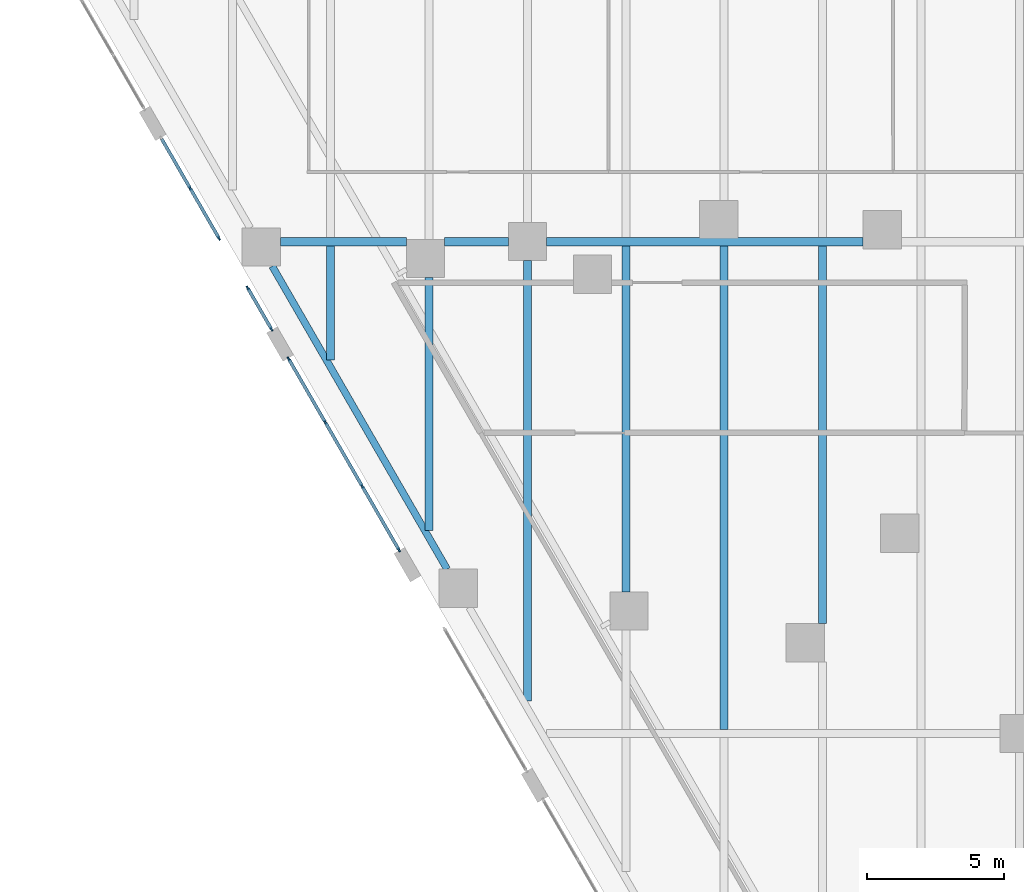
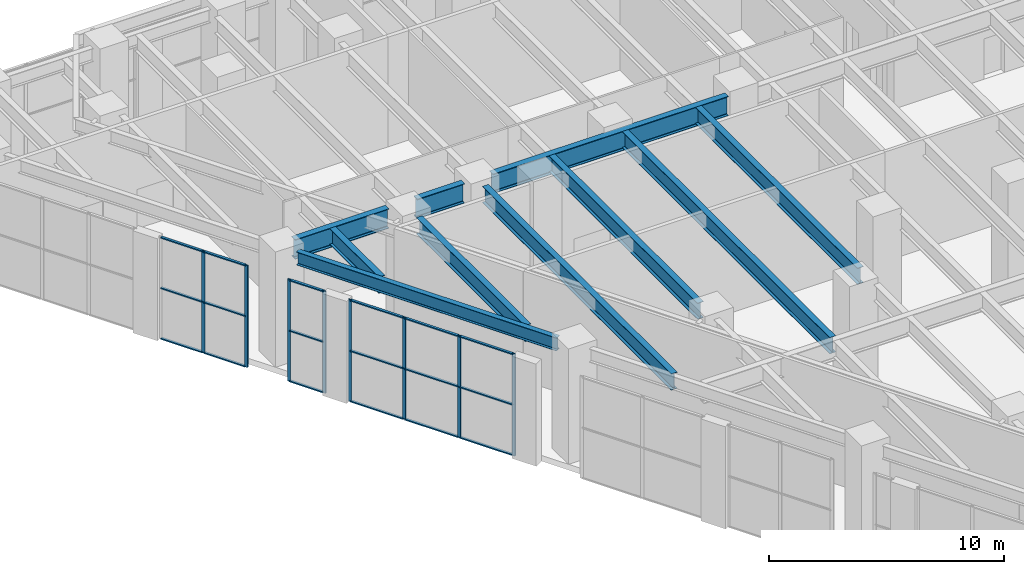
# One storey, part 14 of 37: 26 members, 10 beams, 3 elements without a shape of their own.
"""IFC4 building model written with IfcOpenShell, lengths in metres."""

from ifc_helpers import new_model, si_unit, direction, frame, origin, origin_2d, place, context, subcontext, project, spatial, rectangle, i_section, extrude, material, material_profile, profile_set, type_object, element, aggregate, save


model = new_model("IFC4")

# Units and contexts
model_context = context("Model", 3, precision=1e-05, world=origin(), true_north=direction((0.0, 1.0)))
body_context = subcontext(model_context, "Body", "Model", "MODEL_VIEW")
ifc_project = project(units=[si_unit("LENGTHUNIT", "METRE"), si_unit("AREAUNIT", "SQUARE_METRE"), si_unit("VOLUMEUNIT", "CUBIC_METRE"), si_unit("PLANEANGLEUNIT", "RADIAN"), si_unit("MASSUNIT", "GRAM", prefix="KILO")], contexts=[model_context])

# Site, building, storey
site_placement = place(None, origin())
site = spatial("IfcSite", under=ifc_project, at=site_placement, CompositionType="ELEMENT")
building_placement = place(site_placement, origin())
building = spatial("IfcBuilding", under=site, at=building_placement, Name="Aloe Facet Convention Tower", CompositionType="ELEMENT")
storey_placement = place(building_placement, frame((0.0, 0.0, 7.5)))
storey = spatial("IfcBuildingStorey", under=building, at=storey_placement, Name="L01", CompositionType="ELEMENT", Elevation=7.5)

# Curtain wall, members
ifc_material_1 = material(Name="Aluminium, anodised", Category="aluminium")
curtain_wall_type = type_object("IfcCurtainWallType", Name="EV-CW-SHOP", PredefinedType="USERDEFINED", material=ifc_material_1)
curtain_wall_1_placement = place(storey_placement, origin())
curtain_wall_1 = element("IfcCurtainWall", 1, at=curtain_wall_1_placement, inside=storey, type_object=curtain_wall_type, Name="CW-L01-W04-1", ObjectType="STICK SHOPFRONT GLAZING", PredefinedType="USERDEFINED")
ifc_material_2 = material(Name="Aluminium, anodised", Category="aluminium")
ifc_material_profile_1 = material_profile(ifc_material_2, rectangle(XDim=0.06005859375, YDim=0.159912109375, at=origin_2d()), Name="AL 60x160")
ifc_profile_set_1 = profile_set([ifc_material_profile_1], Name="Aluminium, anodised")
member_type_1 = type_object("IfcMemberType", Name="EV-MULL-SHOP", PredefinedType="MULLION", material=ifc_profile_set_1)
member_1_placement = place(storey_placement, frame((31.657958984375, 118.95166015625, -0.300048828125), z_axis=(0.0, 0.0, 1.0), x_axis=(0.866025403767, 0.50000000003, 0.0)))
member_1 = element("IfcMember", 2, at=member_1_placement, type_object=member_type_1, Name="CW-L01-W04-1 mullion 2", PredefinedType="MULLION", context=body_context, shape_type="SweptSolid", body=[
    extrude(rectangle(XDim=0.06005859375, YDim=0.159912109375, at=origin_2d()), origin(), (0.0, 0.0, 1.0), 5.3125),
])
member_2_placement = place(storey_placement, frame((32.712646484375, 117.12451171875, -0.300048828125), z_axis=(0.0, 0.0, 1.0), x_axis=(0.866025403767, 0.50000000003, 0.0)))
member_2 = element("IfcMember", 3, at=member_2_placement, type_object=member_type_1, Name="CW-L01-W04-1 mullion 3", PredefinedType="MULLION", context=body_context, shape_type="SweptSolid", body=[
    extrude(rectangle(XDim=0.06005859375, YDim=0.159912109375, at=origin_2d()), origin(), (0.0, 0.0, 1.0), 5.3125),
])

curtain_wall_2_placement = place(storey_placement, origin())
curtain_wall_2 = element("IfcCurtainWall", 4, at=curtain_wall_2_placement, inside=storey, type_object=curtain_wall_type, Name="CW-L01-W04-2", ObjectType="STICK SHOPFRONT GLAZING", PredefinedType="USERDEFINED")
member_3_placement = place(storey_placement, frame((33.767333984375, 115.298095703125, -0.300048828125), z_axis=(0.0, 0.0, 1.0), x_axis=(0.866025403811, 0.499999999955, 0.0)))
member_3 = element("IfcMember", 5, at=member_3_placement, type_object=member_type_1, Name="CW-L01-W04-2 mullion 1", PredefinedType="MULLION", context=body_context, shape_type="SweptSolid", body=[
    extrude(rectangle(XDim=0.06005859375, YDim=0.159912109375, at=origin_2d()), origin(), (0.0, 0.0, 1.0), 5.3125),
])
member_4_placement = place(storey_placement, frame((34.6337890625, 113.79736328125, -0.300048828125), z_axis=(0.0, 0.0, 1.0), x_axis=(0.866025403811, 0.499999999955, 0.0)))
member_4 = element("IfcMember", 6, at=member_4_placement, type_object=member_type_1, Name="CW-L01-W04-2 mullion 2", PredefinedType="MULLION", context=body_context, shape_type="SweptSolid", body=[
    extrude(rectangle(XDim=0.06005859375, YDim=0.159912109375, at=origin_2d()), origin(), (0.0, 0.0, 1.0), 5.3125),
])

curtain_wall_3_placement = place(storey_placement, origin())
curtain_wall_3 = element("IfcCurtainWall", 7, at=curtain_wall_3_placement, inside=storey, type_object=curtain_wall_type, Name="CW-L01-W06", ObjectType="STICK SHOPFRONT GLAZING", PredefinedType="USERDEFINED")
member_5_placement = place(storey_placement, frame((35.263671875, 112.7060546875, -0.300048828125), z_axis=(0.0, 0.0, 1.0), x_axis=(0.866025403776, 0.500000000015, 0.0)))
member_5 = element("IfcMember", 8, at=member_5_placement, type_object=member_type_1, Name="CW-L01-W06 mullion 1", PredefinedType="MULLION", context=body_context, shape_type="SweptSolid", body=[
    extrude(rectangle(XDim=0.06005859375, YDim=0.159912109375, at=origin_2d()), origin(), (0.0, 0.0, 1.0), 5.3125),
])
member_6_placement = place(storey_placement, frame((36.602294921875, 110.3876953125, -0.300048828125), z_axis=(0.0, 0.0, 1.0), x_axis=(0.866025403776, 0.500000000015, 0.0)))
member_6 = element("IfcMember", 9, at=member_6_placement, type_object=member_type_1, Name="CW-L01-W06 mullion 2", PredefinedType="MULLION", context=body_context, shape_type="SweptSolid", body=[
    extrude(rectangle(XDim=0.06005859375, YDim=0.159912109375, at=origin_2d()), origin(), (0.0, 0.0, 1.0), 5.3125),
])
member_7_placement = place(storey_placement, frame((37.955810546875, 108.043212890625, -0.300048828125), z_axis=(0.0, 0.0, 1.0), x_axis=(0.866025403776, 0.500000000015, 0.0)))
member_7 = element("IfcMember", 10, at=member_7_placement, type_object=member_type_1, Name="CW-L01-W06 mullion 3", PredefinedType="MULLION", context=body_context, shape_type="SweptSolid", body=[
    extrude(rectangle(XDim=0.06005859375, YDim=0.159912109375, at=origin_2d()), origin(), (0.0, 0.0, 1.0), 5.3125),
])
member_8_placement = place(storey_placement, frame((39.29443359375, 105.724609375, -0.300048828125), z_axis=(0.0, 0.0, 1.0), x_axis=(0.866025403776, 0.500000000015, 0.0)))
member_8 = element("IfcMember", 11, at=member_8_placement, type_object=member_type_1, Name="CW-L01-W06 mullion 4", PredefinedType="MULLION", context=body_context, shape_type="SweptSolid", body=[
    extrude(rectangle(XDim=0.06005859375, YDim=0.159912109375, at=origin_2d()), origin(), (0.0, 0.0, 1.0), 5.3125),
])

# Member
ifc_material_3 = material(Name="Aluminium, anodised", Category="aluminium")
ifc_material_profile_2 = material_profile(ifc_material_3, rectangle(XDim=0.1201171875, YDim=0.06005859375, at=origin_2d()), Name="AL 120x60")
ifc_profile_set_2 = profile_set([ifc_material_profile_2], Name="Aluminium, anodised")
member_type_2 = type_object("IfcMemberType", Name="EV-TRAN-SHOP", PredefinedType="USERDEFINED", material=ifc_profile_set_2)
member_9_placement = place(storey_placement, frame((30.617919921875, 120.752685546875, -0.27001953125), z_axis=(0.500007699544, -0.866020958405, 0.0), x_axis=(0.866020958405, 0.500007699544, 0.0)))
member_9 = element("IfcMember", 12, at=member_9_placement, type_object=member_type_2, Name="CW-L01-W04-1 transom 1.1", ObjectType="TRANSOM", PredefinedType="USERDEFINED", context=body_context, shape_type="SweptSolid", body=[
    extrude(rectangle(XDim=0.1201171875, YDim=0.06005859375, at=origin_2d()), origin(), (0.0, 0.0, 1.0), 2.0498046875),
])

member_10_placement = place(storey_placement, frame((30.617919921875, 120.752685546875, 2.356201171875), z_axis=(0.500007699544, -0.866020958405, 0.0), x_axis=(0.866020958405, 0.500007699544, 0.0)))
member_10 = element("IfcMember", 13, at=member_10_placement, type_object=member_type_2, Name="CW-L01-W04-1 transom 1.2", ObjectType="TRANSOM", PredefinedType="USERDEFINED", context=body_context, shape_type="SweptSolid", body=[
    extrude(rectangle(XDim=0.1201171875, YDim=0.06005859375, at=origin_2d()), origin(), (0.0, 0.0, 1.0), 2.0498046875),
])

member_11_placement = place(storey_placement, frame((30.617919921875, 120.752685546875, 4.982421875), z_axis=(0.500007699544, -0.866020958405, 0.0), x_axis=(0.866020958405, 0.500007699544, 0.0)))
member_11 = element("IfcMember", 14, at=member_11_placement, type_object=member_type_2, Name="CW-L01-W04-1 transom 1.3", ObjectType="TRANSOM", PredefinedType="USERDEFINED", context=body_context, shape_type="SweptSolid", body=[
    extrude(rectangle(XDim=0.1201171875, YDim=0.06005859375, at=origin_2d()), origin(), (0.0, 0.0, 1.0), 2.0498046875),
])

member_12_placement = place(storey_placement, frame((31.6728515625, 118.925537109375, -0.27001953125), z_axis=(0.500007699544, -0.866020958405, 0.0), x_axis=(0.866020958405, 0.500007699544, 0.0)))
member_12 = element("IfcMember", 15, at=member_12_placement, type_object=member_type_2, Name="CW-L01-W04-1 transom 2.1", ObjectType="TRANSOM", PredefinedType="USERDEFINED", context=body_context, shape_type="SweptSolid", body=[
    extrude(rectangle(XDim=0.1201171875, YDim=0.06005859375, at=origin_2d()), origin(), (0.0, 0.0, 1.0), 2.0498046875),
])

member_13_placement = place(storey_placement, frame((31.6728515625, 118.925537109375, 2.356201171875), z_axis=(0.500007699544, -0.866020958405, 0.0), x_axis=(0.866020958405, 0.500007699544, 0.0)))
member_13 = element("IfcMember", 16, at=member_13_placement, type_object=member_type_2, Name="CW-L01-W04-1 transom 2.2", ObjectType="TRANSOM", PredefinedType="USERDEFINED", context=body_context, shape_type="SweptSolid", body=[
    extrude(rectangle(XDim=0.1201171875, YDim=0.06005859375, at=origin_2d()), origin(), (0.0, 0.0, 1.0), 2.0498046875),
])

member_14_placement = place(storey_placement, frame((31.6728515625, 118.925537109375, 4.982421875), z_axis=(0.500007699544, -0.866020958405, 0.0), x_axis=(0.866020958405, 0.500007699544, 0.0)))
member_14 = element("IfcMember", 17, at=member_14_placement, type_object=member_type_2, Name="CW-L01-W04-1 transom 2.3", ObjectType="TRANSOM", PredefinedType="USERDEFINED", context=body_context, shape_type="SweptSolid", body=[
    extrude(rectangle(XDim=0.1201171875, YDim=0.06005859375, at=origin_2d()), origin(), (0.0, 0.0, 1.0), 2.0498046875),
])

aggregate(curtain_wall_1, [member_1, member_2, member_9, member_10, member_11, member_12, member_13, member_14])

member_15_placement = place(storey_placement, frame((33.7822265625, 115.27197265625, -0.27001953125), z_axis=(0.500000383388, -0.866025182435, 0.0), x_axis=(0.866025182435, 0.500000383388, 0.0)))
member_15 = element("IfcMember", 18, at=member_15_placement, type_object=member_type_2, Name="CW-L01-W04-2 transom 1.1", ObjectType="TRANSOM", PredefinedType="USERDEFINED", context=body_context, shape_type="SweptSolid", body=[
    extrude(rectangle(XDim=0.1201171875, YDim=0.06005859375, at=origin_2d()), origin(), (0.0, 0.0, 1.0), 1.6728515625),
])

member_16_placement = place(storey_placement, frame((33.7822265625, 115.27197265625, 2.356201171875), z_axis=(0.500000383388, -0.866025182435, 0.0), x_axis=(0.866025182435, 0.500000383388, 0.0)))
member_16 = element("IfcMember", 19, at=member_16_placement, type_object=member_type_2, Name="CW-L01-W04-2 transom 1.2", ObjectType="TRANSOM", PredefinedType="USERDEFINED", context=body_context, shape_type="SweptSolid", body=[
    extrude(rectangle(XDim=0.1201171875, YDim=0.06005859375, at=origin_2d()), origin(), (0.0, 0.0, 1.0), 1.6728515625),
])

member_17_placement = place(storey_placement, frame((33.7822265625, 115.27197265625, 4.982421875), z_axis=(0.500000383388, -0.866025182435, 0.0), x_axis=(0.866025182435, 0.500000383388, 0.0)))
member_17 = element("IfcMember", 20, at=member_17_placement, type_object=member_type_2, Name="CW-L01-W04-2 transom 1.3", ObjectType="TRANSOM", PredefinedType="USERDEFINED", context=body_context, shape_type="SweptSolid", body=[
    extrude(rectangle(XDim=0.1201171875, YDim=0.06005859375, at=origin_2d()), origin(), (0.0, 0.0, 1.0), 1.6728515625),
])

aggregate(curtain_wall_2, [member_3, member_4, member_15, member_16, member_17])

member_18_placement = place(storey_placement, frame((35.27880859375, 112.68017578125, -0.27001953125), z_axis=(0.49992164446, -0.86607063765, 0.0), x_axis=(0.86607063765, 0.49992164446, 0.0)))
member_18 = element("IfcMember", 21, at=member_18_placement, type_object=member_type_2, Name="CW-L01-W06 transom 1.1", ObjectType="TRANSOM", PredefinedType="USERDEFINED", context=body_context, shape_type="SweptSolid", body=[
    extrude(rectangle(XDim=0.1201171875, YDim=0.06005859375, at=origin_2d()), origin(), (0.0, 0.0, 1.0), 2.6171875),
])

member_19_placement = place(storey_placement, frame((35.27880859375, 112.68017578125, 2.356201171875), z_axis=(0.49992164446, -0.86607063765, 0.0), x_axis=(0.86607063765, 0.49992164446, 0.0)))
member_19 = element("IfcMember", 22, at=member_19_placement, type_object=member_type_2, Name="CW-L01-W06 transom 1.2", ObjectType="TRANSOM", PredefinedType="USERDEFINED", context=body_context, shape_type="SweptSolid", body=[
    extrude(rectangle(XDim=0.1201171875, YDim=0.06005859375, at=origin_2d()), origin(), (0.0, 0.0, 1.0), 2.6171875),
])

member_20_placement = place(storey_placement, frame((35.27880859375, 112.68017578125, 4.982421875), z_axis=(0.49992164446, -0.86607063765, 0.0), x_axis=(0.86607063765, 0.49992164446, 0.0)))
member_20 = element("IfcMember", 23, at=member_20_placement, type_object=member_type_2, Name="CW-L01-W06 transom 1.3", ObjectType="TRANSOM", PredefinedType="USERDEFINED", context=body_context, shape_type="SweptSolid", body=[
    extrude(rectangle(XDim=0.1201171875, YDim=0.06005859375, at=origin_2d()), origin(), (0.0, 0.0, 1.0), 2.6171875),
])

member_21_placement = place(storey_placement, frame((36.6171875, 110.361572265625, -0.27001953125), z_axis=(0.500047101561, -0.865998207978, 0.0), x_axis=(0.865998207978, 0.500047101561, 0.0)))
member_21 = element("IfcMember", 24, at=member_21_placement, type_object=member_type_2, Name="CW-L01-W06 transom 2.1", ObjectType="TRANSOM", PredefinedType="USERDEFINED", context=body_context, shape_type="SweptSolid", body=[
    extrude(rectangle(XDim=0.1201171875, YDim=0.06005859375, at=origin_2d()), origin(), (0.0, 0.0, 1.0), 2.647216796875),
])

member_22_placement = place(storey_placement, frame((36.6171875, 110.361572265625, 2.356201171875), z_axis=(0.500047101561, -0.865998207978, 0.0), x_axis=(0.865998207978, 0.500047101561, 0.0)))
member_22 = element("IfcMember", 25, at=member_22_placement, type_object=member_type_2, Name="CW-L01-W06 transom 2.2", ObjectType="TRANSOM", PredefinedType="USERDEFINED", context=body_context, shape_type="SweptSolid", body=[
    extrude(rectangle(XDim=0.1201171875, YDim=0.06005859375, at=origin_2d()), origin(), (0.0, 0.0, 1.0), 2.647216796875),
])

member_23_placement = place(storey_placement, frame((36.6171875, 110.361572265625, 4.982421875), z_axis=(0.500047101561, -0.865998207978, 0.0), x_axis=(0.865998207978, 0.500047101561, 0.0)))
member_23 = element("IfcMember", 26, at=member_23_placement, type_object=member_type_2, Name="CW-L01-W06 transom 2.3", ObjectType="TRANSOM", PredefinedType="USERDEFINED", context=body_context, shape_type="SweptSolid", body=[
    extrude(rectangle(XDim=0.1201171875, YDim=0.06005859375, at=origin_2d()), origin(), (0.0, 0.0, 1.0), 2.647216796875),
])

member_24_placement = place(storey_placement, frame((37.970947265625, 108.01708984375, -0.27001953125), z_axis=(0.499962037141, -0.866047320542, 0.0), x_axis=(0.866047320542, 0.499962037141, 0.0)))
member_24 = element("IfcMember", 27, at=member_24_placement, type_object=member_type_2, Name="CW-L01-W06 transom 3.1", ObjectType="TRANSOM", PredefinedType="USERDEFINED", context=body_context, shape_type="SweptSolid", body=[
    extrude(rectangle(XDim=0.1201171875, YDim=0.06005859375, at=origin_2d()), origin(), (0.0, 0.0, 1.0), 2.616943359375),
])

member_25_placement = place(storey_placement, frame((37.970947265625, 108.01708984375, 2.356201171875), z_axis=(0.499962037141, -0.866047320542, 0.0), x_axis=(0.866047320542, 0.499962037141, 0.0)))
member_25 = element("IfcMember", 28, at=member_25_placement, type_object=member_type_2, Name="CW-L01-W06 transom 3.2", ObjectType="TRANSOM", PredefinedType="USERDEFINED", context=body_context, shape_type="SweptSolid", body=[
    extrude(rectangle(XDim=0.1201171875, YDim=0.06005859375, at=origin_2d()), origin(), (0.0, 0.0, 1.0), 2.616943359375),
])

member_26_placement = place(storey_placement, frame((37.970947265625, 108.01708984375, 4.982421875), z_axis=(0.499962037141, -0.866047320542, 0.0), x_axis=(0.866047320542, 0.499962037141, 0.0)))
member_26 = element("IfcMember", 29, at=member_26_placement, type_object=member_type_2, Name="CW-L01-W06 transom 3.3", ObjectType="TRANSOM", PredefinedType="USERDEFINED", context=body_context, shape_type="SweptSolid", body=[
    extrude(rectangle(XDim=0.1201171875, YDim=0.06005859375, at=origin_2d()), origin(), (0.0, 0.0, 1.0), 2.616943359375),
])

aggregate(curtain_wall_3, [member_5, member_6, member_7, member_8, member_18, member_19, member_20, member_21, member_22, member_23, member_24, member_25, member_26])

# Beams
ifc_material_4 = material(Name="Steel S355", Category="steel")
ifc_material_profile_3 = material_profile(ifc_material_4, i_section(OverallWidth=0.305419921875, OverallDepth=1.02587890625, WebThickness=0.02001953125, FlangeThickness=0.031005859375, FilletRadius=0.030029296875, at=origin_2d()), Name="UB 1016x305x349")
ifc_profile_set_3 = profile_set([ifc_material_profile_3], Name="Steel S355")
beam_type_1 = type_object("IfcBeamType", Name="SF-B-UB1016x305x349", PredefinedType="BEAM", material=ifc_profile_set_3)
beam_1_placement = place(storey_placement, frame((34.9580078125, 117.0, 5.18701171875), z_axis=(1.0, 0.0, 0.0), x_axis=(0.0, 1.0, 0.0)))
element("IfcBeam", 30, at=beam_1_placement, inside=storey, type_object=beam_type_1, Name="Floor beam FB-L02-030", PredefinedType="BEAM", context=body_context, shape_type="SweptSolid", body=[
    extrude(i_section(OverallWidth=0.305419921875, OverallDepth=1.02587890625, WebThickness=0.02001953125, FlangeThickness=0.031005859375, FilletRadius=0.030029296875, at=origin_2d()), origin(), (0.0, 0.0, 1.0), 4.612060546875),
])
beam_2_placement = place(storey_placement, frame((40.969970703125, 117.0, 5.18701171875), z_axis=(1.0, 0.0, 0.0), x_axis=(0.0, 1.0, 0.0)))
element("IfcBeam", 31, at=beam_2_placement, inside=storey, type_object=beam_type_1, Name="Floor beam FB-L02-031", PredefinedType="BEAM", context=body_context, shape_type="SweptSolid", body=[
    extrude(i_section(OverallWidth=0.305419921875, OverallDepth=1.02587890625, WebThickness=0.02001953125, FlangeThickness=0.031005859375, FilletRadius=0.030029296875, at=origin_2d()), origin(), (0.0, 0.0, 1.0), 2.330078125),
])
beam_3_placement = place(storey_placement, frame((44.699951171875, 117.0, 5.18701171875), z_axis=(1.0, 0.0, 0.0), x_axis=(0.0, 1.0, 0.0)))
element("IfcBeam", 32, at=beam_3_placement, inside=storey, type_object=beam_type_1, Name="Floor beam FB-L02-033", PredefinedType="BEAM", context=body_context, shape_type="SweptSolid", body=[
    extrude(i_section(OverallWidth=0.305419921875, OverallDepth=1.02587890625, WebThickness=0.02001953125, FlangeThickness=0.031005859375, FilletRadius=0.030029296875, at=origin_2d()), origin(), (0.0, 0.0, 1.0), 11.583984375),
])
ifc_material_5 = material(Name="Steel S355", Category="steel")
ifc_material_profile_4 = material_profile(ifc_material_5, i_section(OverallWidth=0.25439453125, OverallDepth=0.6875, WebThickness=0.01318359375, FlangeThickness=0.02099609375, FilletRadius=0.01513671875, at=origin_2d()), Name="UB 686x254x152")
ifc_profile_set_4 = profile_set([ifc_material_profile_4], Name="Steel S355")
beam_type_2 = type_object("IfcBeamType", Name="SF-B-UB686x254x152", PredefinedType="BEAM", material=ifc_profile_set_4)
beam_4_placement = place(storey_placement, frame((41.06201171875, 105.012939453125, 5.356201171875), z_axis=(-0.499987149722, 0.866032822769, 0.0), x_axis=(-0.866032822769, -0.499987149722, 0.0)))
element("IfcBeam", 33, at=beam_4_placement, inside=storey, type_object=beam_type_2, Name="Floor beam FB-L02-005", PredefinedType="BEAM", context=body_context, shape_type="SweptSolid", body=[
    extrude(i_section(OverallWidth=0.25439453125, OverallDepth=0.6875, WebThickness=0.01318359375, FlangeThickness=0.02099609375, FilletRadius=0.01513671875, at=origin_2d()), origin(), (0.0, 0.0, 1.0), 12.801025390625),
])
ifc_material_6 = material(Name="Steel S355", Category="steel")
ifc_material_profile_5 = material_profile(ifc_material_6, i_section(OverallWidth=0.293701171875, OverallDepth=0.850830078125, WebThickness=0.01611328125, FlangeThickness=0.02685546875, FilletRadius=0.017822265625, at=origin_2d()), Name="UB 838x292x226")
ifc_profile_set_5 = profile_set([ifc_material_profile_5], Name="Steel S355")
beam_type_3 = type_object("IfcBeamType", Name="SF-B-UB838x292x226", PredefinedType="BEAM", material=ifc_profile_set_5)
beam_5_placement = place(storey_placement, frame((36.800048828125, 112.65966796875, 5.2744140625), z_axis=(0.0, 1.0, 0.0), x_axis=(-1.0, 0.0, 0.0)))
element("IfcBeam", 34, at=beam_5_placement, inside=storey, type_object=beam_type_3, Name="Floor beam FB-L02-053", PredefinedType="BEAM", context=body_context, shape_type="SweptSolid", body=[
    extrude(i_section(OverallWidth=0.293701171875, OverallDepth=0.850830078125, WebThickness=0.01611328125, FlangeThickness=0.02685546875, FilletRadius=0.017822265625, at=origin_2d()), origin(), (0.0, 0.0, 1.0), 4.187744140625),
])
beam_6_placement = place(storey_placement, frame((40.39990234375, 106.42431640625, 5.2744140625), z_axis=(0.0, 1.0, 0.0), x_axis=(-1.0, 0.0, 0.0)))
element("IfcBeam", 35, at=beam_6_placement, inside=storey, type_object=beam_type_3, Name="Floor beam FB-L02-055", PredefinedType="BEAM", context=body_context, shape_type="SweptSolid", body=[
    extrude(i_section(OverallWidth=0.293701171875, OverallDepth=0.850830078125, WebThickness=0.01611328125, FlangeThickness=0.02685546875, FilletRadius=0.017822265625, at=origin_2d()), origin(), (0.0, 0.0, 1.0), 9.2607421875),
])
beam_7_placement = place(storey_placement, frame((44.0, 100.18896484375, 5.2744140625), z_axis=(0.0, 1.0, 0.0), x_axis=(-1.0, 0.0, 0.0)))
element("IfcBeam", 36, at=beam_7_placement, inside=storey, type_object=beam_type_3, Name="Floor beam FB-L02-057", PredefinedType="BEAM", context=body_context, shape_type="SweptSolid", body=[
    extrude(i_section(OverallWidth=0.293701171875, OverallDepth=0.850830078125, WebThickness=0.01611328125, FlangeThickness=0.02685546875, FilletRadius=0.017822265625, at=origin_2d()), origin(), (0.0, 0.0, 1.0), 16.111083984375),
])
beam_8_placement = place(storey_placement, frame((47.60009765625, 104.18505859375, 5.2744140625), z_axis=(0.0, 1.0, 0.0), x_axis=(-1.0, 0.0, 0.0)))
element("IfcBeam", 37, at=beam_8_placement, inside=storey, type_object=beam_type_3, Name="Floor beam FB-L02-062", PredefinedType="BEAM", context=body_context, shape_type="SweptSolid", body=[
    extrude(i_section(OverallWidth=0.293701171875, OverallDepth=0.850830078125, WebThickness=0.01611328125, FlangeThickness=0.02685546875, FilletRadius=0.017822265625, at=origin_2d()), origin(), (0.0, 0.0, 1.0), 12.662353515625),
])
beam_9_placement = place(storey_placement, frame((51.199951171875, 99.152587890625, 5.2744140625), z_axis=(0.0, 1.0, 0.0), x_axis=(-1.0, 0.0, 0.0)))
element("IfcBeam", 38, at=beam_9_placement, inside=storey, type_object=beam_type_3, Name="Floor beam FB-L02-065", PredefinedType="BEAM", context=body_context, shape_type="SweptSolid", body=[
    extrude(i_section(OverallWidth=0.293701171875, OverallDepth=0.850830078125, WebThickness=0.01611328125, FlangeThickness=0.02685546875, FilletRadius=0.017822265625, at=origin_2d()), origin(), (0.0, 0.0, 1.0), 17.69482421875),
])
beam_10_placement = place(storey_placement, frame((54.800048828125, 103.02490234375, 5.2744140625), z_axis=(0.0, 1.0, 0.0), x_axis=(-1.0, 0.0, 0.0)))
element("IfcBeam", 39, at=beam_10_placement, inside=storey, type_object=beam_type_3, Name="Floor beam FB-L02-070", PredefinedType="BEAM", context=body_context, shape_type="SweptSolid", body=[
    extrude(i_section(OverallWidth=0.293701171875, OverallDepth=0.850830078125, WebThickness=0.01611328125, FlangeThickness=0.02685546875, FilletRadius=0.017822265625, at=origin_2d()), origin(), (0.0, 0.0, 1.0), 13.822509765625),
])

save(model, "model.ifc")
